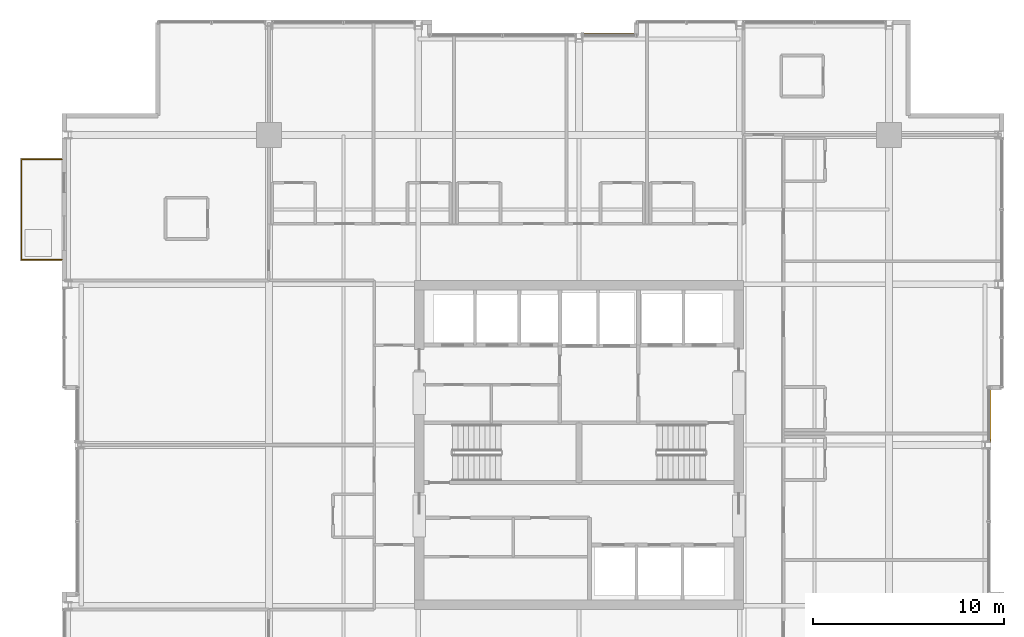
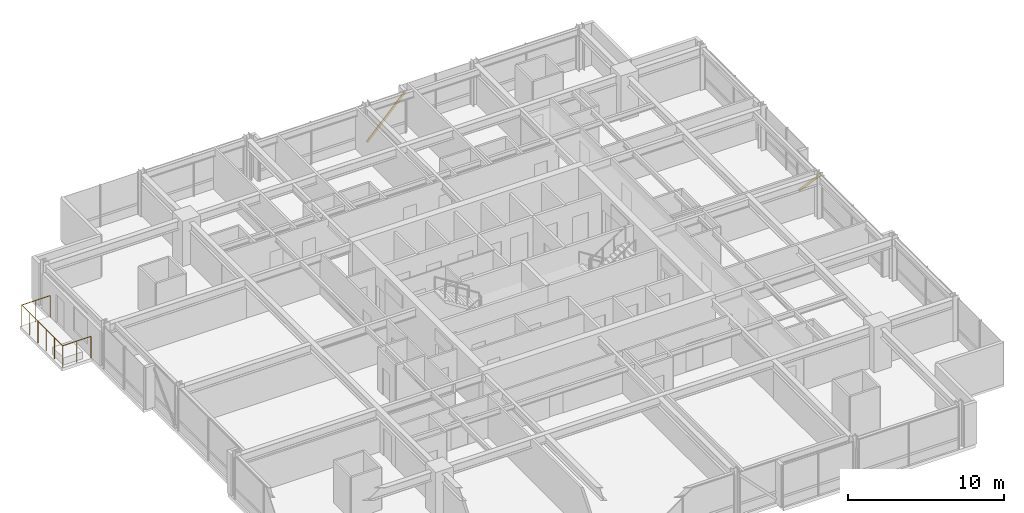
# One storey, part 32 of 32: 2 shading devices, 1 railing.
"""IFC4 building model written with IfcOpenShell, lengths in metres."""

from ifc_helpers import new_model, si_unit, direction, frame, origin, origin_2d, place, context, subcontext, project, spatial, hollow_rectangle, circle, extrude, material, material_profile, profile_set, type_object, element, save


model = new_model("IFC4")

# Units and contexts
model_context = context("Model", 3, precision=1e-05, world=origin(), true_north=direction((0.0, 1.0)))
body_context = subcontext(model_context, "Body", "Model", "MODEL_VIEW")
ifc_project = project(units=[si_unit("LENGTHUNIT", "METRE"), si_unit("AREAUNIT", "SQUARE_METRE"), si_unit("VOLUMEUNIT", "CUBIC_METRE"), si_unit("PLANEANGLEUNIT", "RADIAN"), si_unit("MASSUNIT", "GRAM", prefix="KILO")], contexts=[model_context])

# Site, building, storey
site_placement = place(None, origin())
site = spatial("IfcSite", under=ifc_project, at=site_placement, CompositionType="ELEMENT")
building_placement = place(site_placement, origin())
building = spatial("IfcBuilding", under=site, at=building_placement, Name="Drelvath Grand Hotel", CompositionType="ELEMENT")
storey_placement = place(building_placement, frame((0.0, 0.0, 189.449951171875)))
storey = spatial("IfcBuildingStorey", under=building, at=storey_placement, Name="L49", CompositionType="ELEMENT", Elevation=189.449951171875)

# Shading devices
ifc_material_1 = material(Name="Brushed Pale-Silver Anodised Aluminium", Category="aluminium")
ifc_material_profile = material_profile(ifc_material_1, hollow_rectangle(XDim=0.06494140625, YDim=0.159912109375, WallThickness=0.00390625, at=origin_2d()), Name="HSS160X65X4")
ifc_profile_set = profile_set([ifc_material_profile], Name="Brushed Pale-Silver Anodised Aluminium")
shading_device_type = type_object("IfcShadingDeviceType", Name="Diagonal Solar Fin Pale-Silver Anodised HSS160X65X4", PredefinedType="USERDEFINED", material=ifc_profile_set)
for number, where, z_axis, x_axis, name in (
    (1, (21.47998046875, 30.0, 0.179931640625), (0.0, -0.691939331192, 0.721955650958), (1.0, 0.0, 0.0), "L49 Diagonal Anodised Fin CW04-L49-EM2"),
    (2, (0.191650390625, 48.47998046875, 0.179931640625), (0.691939331192, 0.0, 0.721955650958), (0.0, 1.0, 0.0), "L49 Diagonal Anodised Fin CW04-L49-NM2"),
):
    element("IfcShadingDevice", number, at=place(storey_placement, frame(where, z_axis=z_axis, x_axis=x_axis)), inside=storey, type_object=shading_device_type, Name=name, ObjectType="FIN", PredefinedType="USERDEFINED", context=body_context, shape_type="SweptSolid", body=[
        extrude(hollow_rectangle(XDim=0.06494140625, YDim=0.159912109375, WallThickness=0.00390625, at=origin_2d()), origin(), (0.0, 0.0, 1.0), 4.05859375),
    ])

# Railing
ifc_material_2 = material(Name="Anodised Aluminium and Laminated Glass Balustrade", Category="aluminium")
railing_type = type_object("IfcRailingType", Name="Raised Planter Edge Balustrade 1700", PredefinedType="BALUSTRADE", material=ifc_material_2)
railing_placement = place(storey_placement, frame((-27.02001953125, 36.679931640625, 0.0)))
element("IfcRailing", 3, at=railing_placement, inside=storey, type_object=railing_type, Name="L49 Tree Balcony Perimeter Balustrade 1", PredefinedType="BALUSTRADE", context=body_context, shape_type="SweptSolid", body=[
    extrude(circle(Radius=0.02392578125, at=origin_2d()), frame((0.0, 0.0, 1.67578125), z_axis=(-1.0, 0.0, 0.0), x_axis=(0.0, -1.0, 0.0)), (0.0, 0.0, 1.0), 2.10009765625),
    extrude(circle(Radius=0.02392578125, at=origin_2d()), frame((-2.10009765625, 0.0, 1.67578125), z_axis=(0.0, 1.0, 0.0), x_axis=(-1.0, 0.0, 0.0)), (0.0, 0.0, 1.0), 5.239990234375),
    extrude(circle(Radius=0.02392578125, at=origin_2d()), frame((-2.10009765625, 5.239990234375, 1.67578125), z_axis=(1.0, 0.0, 0.0), x_axis=(0.0, 1.0, 0.0)), (0.0, 0.0, 1.0), 2.10009765625),
    extrude(circle(Radius=0.02099609375, at=origin_2d()), origin(), (0.0, 0.0, 1.0), 1.65185546875),
    extrude(circle(Radius=0.02099609375, at=origin_2d()), frame((-1.050048828125, 0.0, 0.0)), (0.0, 0.0, 1.0), 1.65185546875),
    extrude(circle(Radius=0.02099609375, at=origin_2d()), frame((-2.10009765625, 0.0, 0.0)), (0.0, 0.0, 1.0), 1.65185546875),
    extrude(circle(Radius=0.02099609375, at=origin_2d()), frame((-2.10009765625, 1.048095703125, 0.0)), (0.0, 0.0, 1.0), 1.65185546875),
    extrude(circle(Radius=0.02099609375, at=origin_2d()), frame((-2.10009765625, 2.095947265625, 0.0)), (0.0, 0.0, 1.0), 1.65185546875),
    extrude(circle(Radius=0.02099609375, at=origin_2d()), frame((-2.10009765625, 3.14404296875, 0.0)), (0.0, 0.0, 1.0), 1.65185546875),
    extrude(circle(Radius=0.02099609375, at=origin_2d()), frame((-2.10009765625, 4.19189453125, 0.0)), (0.0, 0.0, 1.0), 1.65185546875),
    extrude(circle(Radius=0.02099609375, at=origin_2d()), frame((-2.10009765625, 5.239990234375, 0.0)), (0.0, 0.0, 1.0), 1.65185546875),
    extrude(circle(Radius=0.02099609375, at=origin_2d()), frame((-1.050048828125, 5.239990234375, 0.0)), (0.0, 0.0, 1.0), 1.65185546875),
    extrude(circle(Radius=0.02099609375, at=origin_2d()), frame((0.0, 5.239990234375, 0.0)), (0.0, 0.0, 1.0), 1.65185546875),
])

save(model, "model.ifc")
